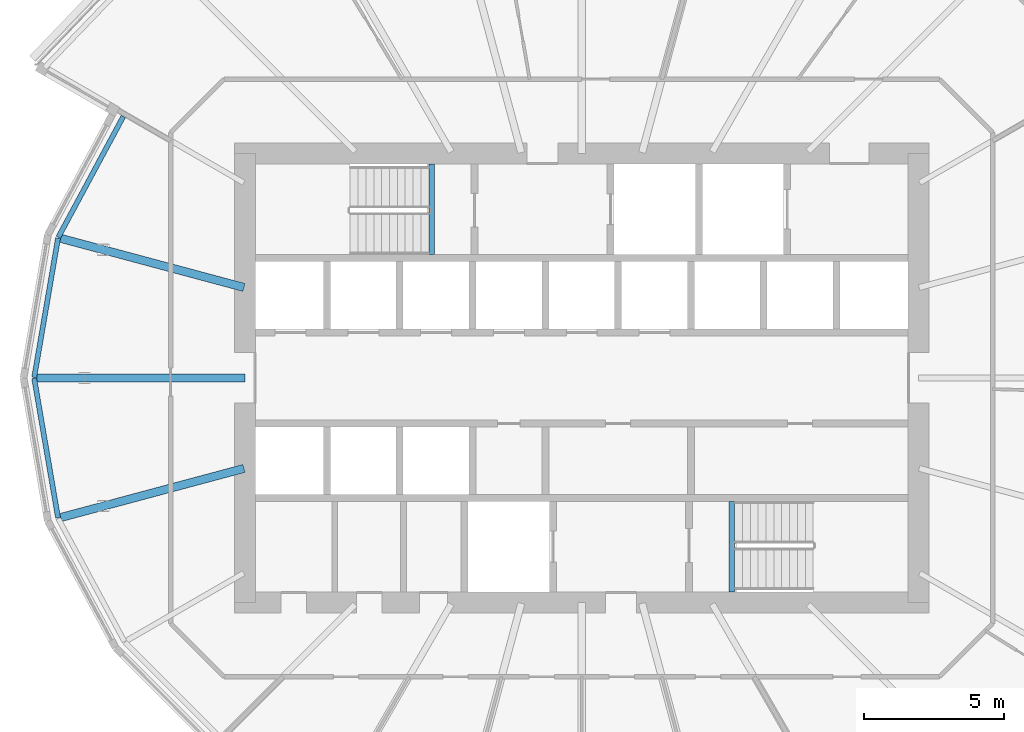
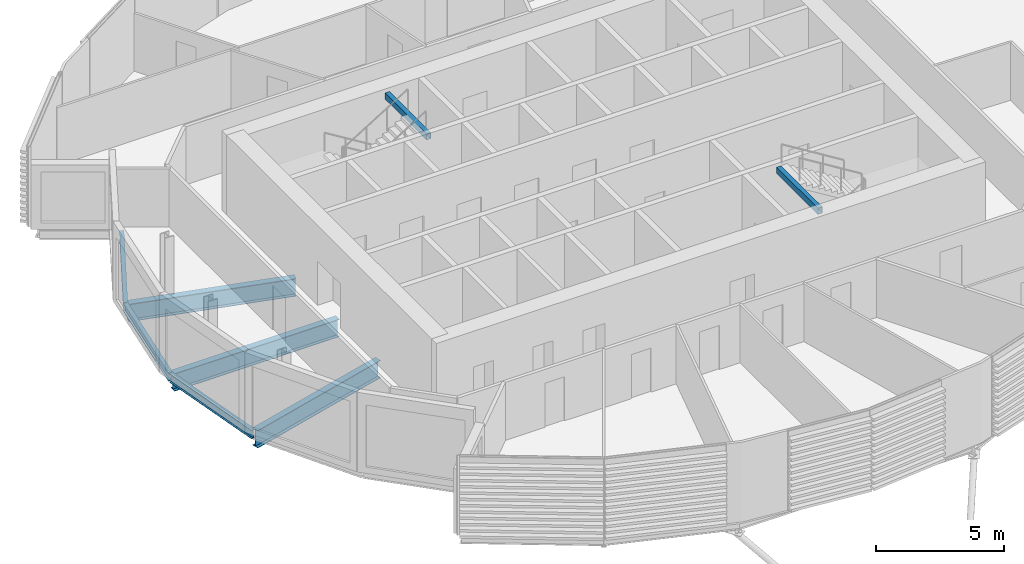
# One storey, part 5 of 38: 8 beams.
"""IFC4 building model written with IfcOpenShell, lengths in metres."""

from ifc_helpers import new_model, si_unit, direction, frame, origin, origin_2d, place, context, subcontext, project, spatial, hollow_rectangle, i_section, extrude, material, material_profile, profile_set, type_object, element, save


model = new_model("IFC4")

# Units and contexts
model_context = context("Model", 3, precision=1e-05, world=origin(), true_north=direction((0.0, 1.0)))
body_context = subcontext(model_context, "Body", "Model", "MODEL_VIEW")
ifc_project = project(units=[si_unit("LENGTHUNIT", "METRE"), si_unit("AREAUNIT", "SQUARE_METRE"), si_unit("VOLUMEUNIT", "CUBIC_METRE"), si_unit("PLANEANGLEUNIT", "RADIAN"), si_unit("MASSUNIT", "GRAM", prefix="KILO")], contexts=[model_context])

# Site, building, storey
site_placement = place(None, origin())
site = spatial("IfcSite", under=ifc_project, at=site_placement, CompositionType="ELEMENT")
building_placement = place(site_placement, origin())
building = spatial("IfcBuilding", under=site, at=building_placement, Name="Rimbun Link Towers", CompositionType="ELEMENT")
storey_placement = place(building_placement, frame((0.0, 0.0, 123.39990234375)))
storey = spatial("IfcBuildingStorey", under=building, at=storey_placement, Name="L30", CompositionType="ELEMENT", Elevation=123.39990234375)

# Beams
ifc_material_1 = material(Name="Steel S355J2", Category="steel")
ifc_material_profile_1 = material_profile(ifc_material_1, hollow_rectangle(XDim=0.199951171875, YDim=0.300048828125, WallThickness=0.011962890625, at=origin_2d()), Name="BOX 300x200x12")
ifc_profile_set_1 = profile_set([ifc_material_profile_1], Name="Steel S355J2")
beam_type_1 = type_object("IfcBeamType", Name="Stair trimmer beam BOX 300x200x12", PredefinedType="BEAM", material=ifc_profile_set_1)
for number, where, z_axis, x_axis, name in (
    (1, (-37.10009765625, 7.625, 3.47021484375), (0.0, -1.0, 0.0), (1.0, 0.0, 0.0), "L30 ST1 stair beam 1"),
    (2, (-26.39990234375, -7.625, 3.47021484375), (0.0, 1.0, 0.0), (-1.0, 0.0, 0.0), "L30 ST2 stair beam 1"),
):
    element("IfcBeam", number, at=place(storey_placement, frame(where, z_axis=z_axis, x_axis=x_axis)), inside=storey, type_object=beam_type_1, Name=name, PredefinedType="BEAM", context=body_context, shape_type="SweptSolid", body=[
        extrude(hollow_rectangle(XDim=0.199951171875, YDim=0.300048828125, WallThickness=0.011962890625, at=origin_2d()), origin(), (0.0, 0.0, 1.0), 3.22509765625),
    ])
ifc_material_2 = material(Name="Steel S355J2", Category="steel")
ifc_material_profile_2 = material_profile(ifc_material_2, i_section(OverallWidth=0.177978515625, OverallDepth=0.406494140625, WebThickness=0.0078125, FlangeThickness=0.0126953125, at=origin_2d()), Name="UB 406x178x60")
ifc_profile_set_2 = profile_set([ifc_material_profile_2], Name="Steel S355J2")
beam_type_2 = type_object("IfcBeamType", Name="UB 406x178x60", PredefinedType="BEAM", material=ifc_profile_set_2)
beam_1_placement = place(storey_placement, frame((-48.08837890625, 9.319091796875, -0.363037109375), z_axis=(-0.47376324309, -0.880652252309, 0.0), x_axis=(0.880652252309, -0.47376324309, 0.0)))
element("IfcBeam", 3, at=beam_1_placement, inside=storey, type_object=beam_type_2, Name="Edge beam T1 L30 10 recess", PredefinedType="BEAM", context=body_context, shape_type="SweptSolid", body=[
    extrude(i_section(OverallWidth=0.177978515625, OverallDepth=0.406494140625, WebThickness=0.0078125, FlangeThickness=0.0126953125, at=origin_2d()), origin(), (0.0, 0.0, 1.0), 4.888427734375),
])
for number, where, z_axis, x_axis, name in (
    (4, (-50.414306640625, 4.985107421875, -0.363037109375), (-0.168677498166, -0.985671294911, 0.0), (0.985671294911, -0.168677498166, 0.0), "Edge beam T1 L30 11 recess"),
    (5, (-51.2646484375, -0.01611328125, -0.363037109375), (0.168677498166, -0.985671294911, 0.0), (0.985671294911, 0.168677498166, 0.0), "Edge beam T1 L30 12 recess"),
):
    element("IfcBeam", number, at=place(storey_placement, frame(where, z_axis=z_axis, x_axis=x_axis)), inside=storey, type_object=beam_type_2, Name=name, PredefinedType="BEAM", context=body_context, shape_type="SweptSolid", body=[
        extrude(i_section(OverallWidth=0.177978515625, OverallDepth=0.406494140625, WebThickness=0.0078125, FlangeThickness=0.0126953125, at=origin_2d()), origin(), (0.0, 0.0, 1.0), 5.041259765625),
    ])
ifc_material_3 = material(Name="Steel S355J2", Category="steel")
ifc_material_profile_3 = material_profile(ifc_material_3, i_section(OverallWidth=0.29248046875, OverallDepth=0.8408203125, WebThickness=0.0126953125, FlangeThickness=0.021728515625, at=origin_2d()), Name="UB 838x292x194")
ifc_profile_set_3 = profile_set([ifc_material_profile_3], Name="Steel S355J2")
beam_type_3 = type_object("IfcBeamType", Name="UB 838x292x194", PredefinedType="BEAM", material=ifc_profile_set_3)
beam_2_placement = place(storey_placement, frame((-43.788818359375, 3.225830078125, -0.580322265625), z_axis=(-0.965928242155, 0.258810028799, 0.0), x_axis=(-0.258810028799, -0.965928242155, 0.0)))
element("IfcBeam", 6, at=beam_2_placement, inside=storey, type_object=beam_type_3, Name="Radial beam T1 L30 11", PredefinedType="BEAM", context=body_context, shape_type="SweptSolid", body=[
    extrude(i_section(OverallWidth=0.29248046875, OverallDepth=0.8408203125, WebThickness=0.0126953125, FlangeThickness=0.021728515625, at=origin_2d()), origin(), (0.0, 0.0, 1.0), 6.766357421875),
])
beam_3_placement = place(storey_placement, frame((-43.7509765625, 0.0, -0.580322265625), z_axis=(-1.0, 0.0, 0.0), x_axis=(0.0, -1.0, 0.0)))
element("IfcBeam", 7, at=beam_3_placement, inside=storey, type_object=beam_type_3, Name="Radial beam T1 L30 12", PredefinedType="BEAM", context=body_context, shape_type="SweptSolid", body=[
    extrude(i_section(OverallWidth=0.29248046875, OverallDepth=0.8408203125, WebThickness=0.0126953125, FlangeThickness=0.021728515625, at=origin_2d()), origin(), (0.0, 0.0, 1.0), 7.426513671875),
])
beam_4_placement = place(storey_placement, frame((-43.788818359375, -3.225830078125, -0.580322265625), z_axis=(-0.965928242155, -0.258810028799, 0.0), x_axis=(0.258810028799, -0.965928242155, 0.0)))
element("IfcBeam", 8, at=beam_4_placement, inside=storey, type_object=beam_type_3, Name="Radial beam T1 L30 13", PredefinedType="BEAM", context=body_context, shape_type="SweptSolid", body=[
    extrude(i_section(OverallWidth=0.29248046875, OverallDepth=0.8408203125, WebThickness=0.0126953125, FlangeThickness=0.021728515625, at=origin_2d()), origin(), (0.0, 0.0, 1.0), 6.766357421875),
])

save(model, "model.ifc")
